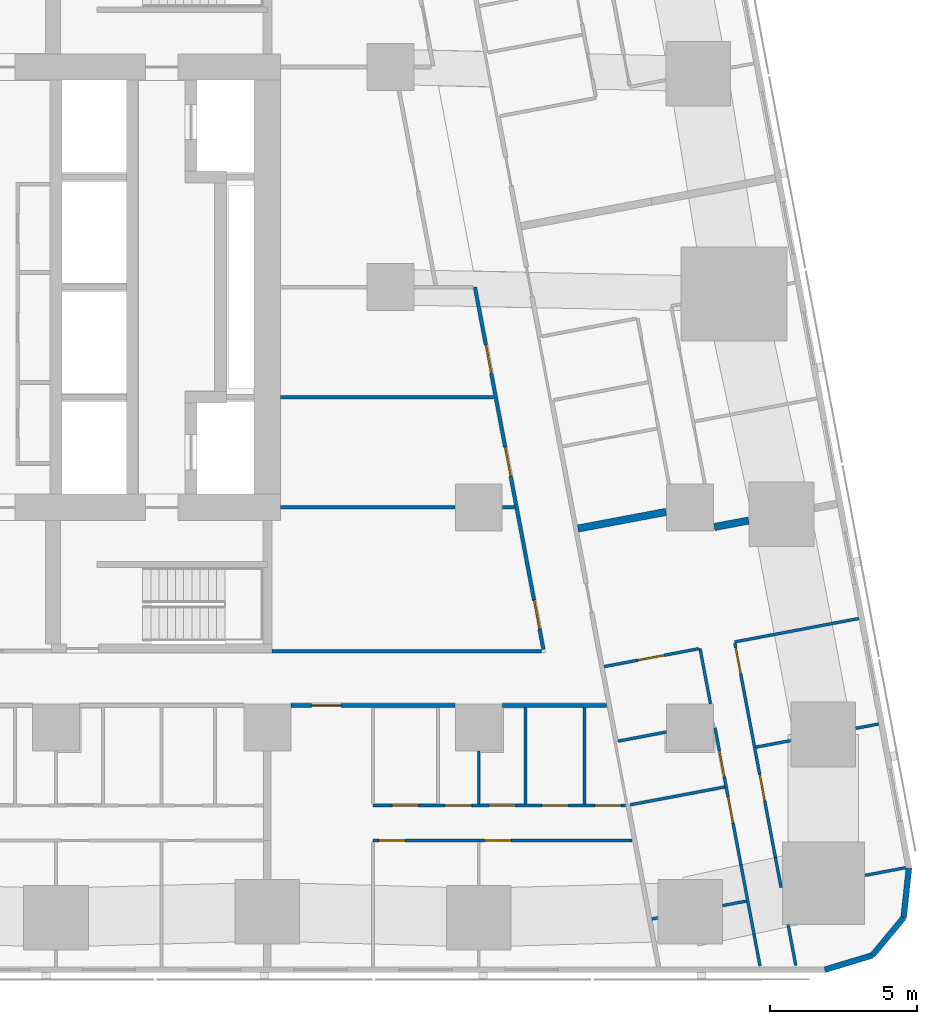
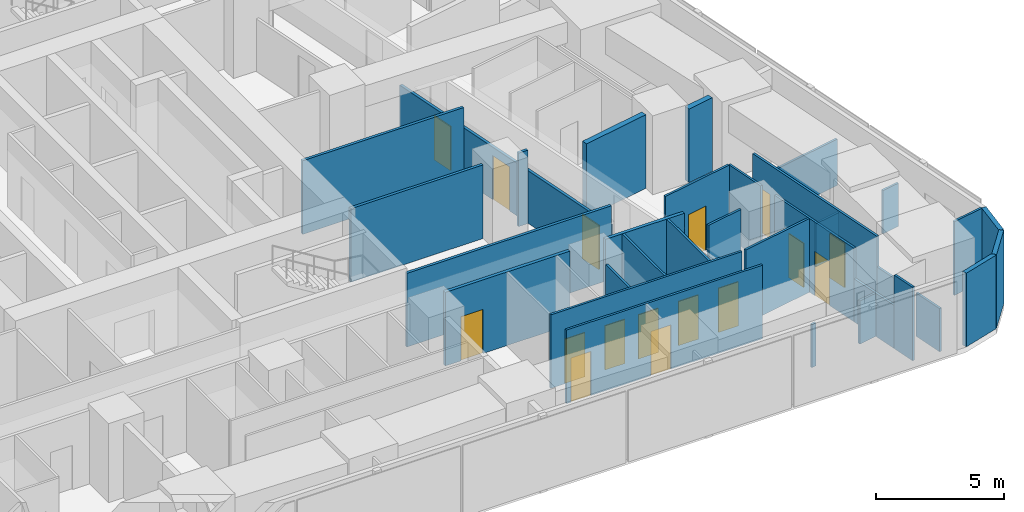
# One storey, part 6 of 15: 33 walls, 16 doors, 16 openings.
"""IFC4 building model written with IfcOpenShell, lengths in metres."""

from ifc_helpers import new_model, si_unit, direction, frame, frame_2d, origin, place, context, subcontext, project, spatial, rectangle, extrude, material, layer, layer_set, type_object, element, fill, save


model = new_model("IFC4")

# Units and contexts
model_context = context("Model", 3, precision=1e-05, world=origin(), true_north=direction((0.0, 1.0)))
body_context = subcontext(model_context, "Body", "Model", "MODEL_VIEW")
ifc_project = project(units=[si_unit("LENGTHUNIT", "METRE"), si_unit("AREAUNIT", "SQUARE_METRE"), si_unit("VOLUMEUNIT", "CUBIC_METRE"), si_unit("PLANEANGLEUNIT", "RADIAN"), si_unit("MASSUNIT", "GRAM", prefix="KILO")], contexts=[model_context])

# Site, building, storey
site_placement = place(None, origin())
site = spatial("IfcSite", under=ifc_project, at=site_placement, CompositionType="ELEMENT")
building_placement = place(site_placement, origin())
building = spatial("IfcBuilding", under=site, at=building_placement, Name="Sheger Commons Tower", CompositionType="ELEMENT")
storey_placement = place(building_placement, frame((0.0, 0.0, 85.39990234375)))
storey = spatial("IfcBuildingStorey", under=building, at=storey_placement, Name="L21", CompositionType="ELEMENT", Elevation=85.39990234375)

# Wall
ifc_material_1 = material(Name="Hollow concrete block masonry, skimmed both sides", Category="masonry")
ifc_layer_1 = layer(ifc_material_1, 0.14990234375)
ifc_layer_set_1 = layer_set([ifc_layer_1], Name="CORRIDOR WALL 150")
wall_type_1 = type_object("IfcWallType", Name="CORRIDOR WALL 150", PredefinedType="SOLIDWALL", material=ifc_layer_set_1)
wall_1_placement = place(storey_placement, frame((40.35595703125, 8.25, 0.0), z_axis=(0.0, 0.0, 1.0), x_axis=(-1.0, 0.0, 0.0)))
element("IfcWall", 1, at=wall_1_placement, inside=storey, type_object=wall_type_1, Name="Corridor wall L21", PredefinedType="SOLIDWALL", context=body_context, shape_type="SweptSolid", body=[
    extrude(rectangle(XDim=3.554931640625, YDim=0.14990234375, at=frame_2d((1.77734375, 0.0))), origin(), (0.0, 0.0, 1.0), 3.5),
])

# Wall, opening, door
wall_2_placement = place(storey_placement, frame((35.198974609375, 8.25, 0.0), z_axis=(0.0, 0.0, 1.0), x_axis=(-1.0, 0.0, 0.0)))
wall_2 = element("IfcWall", 2, at=wall_2_placement, inside=storey, type_object=wall_type_1, Name="Corridor wall L21", PredefinedType="SOLIDWALL", context=body_context, shape_type="SweptSolid", body=[
    extrude(rectangle(XDim=5.597900390625, YDim=0.14990234375, at=frame_2d((2.798828125, 0.0))), origin(), (0.0, 0.0, 1.0), 3.5),
])
opening_1_placement = place(wall_2_placement, frame((3.89892578125, 0.0, 0.0)))
opening_1 = element("IfcOpeningElement", 3, at=opening_1_placement, cuts=wall_2, Name="Opening D1", PredefinedType="OPENING", context=body_context, shape_type="SweptSolid", body=[
    extrude(rectangle(XDim=1.0, YDim=2.10009765625, at=frame_2d((0.5, 1.050048828125))), frame((0.0, 0.0849609375, 0.0), z_axis=(0.0, -1.0, 0.0), x_axis=(1.0, 0.0, 0.0)), (0.0, 0.0, 1.0), 0.169921875),
])
ifc_material_2 = material(Name="Steel door set, fire rated", Category="steel")
door_type_1 = type_object("IfcDoorType", Name="FLAT ENTRANCE DOOR 1000x2100", OperationType="NOTDEFINED", PredefinedType="DOOR", material=ifc_material_2)
door_1_placement = place(opening_1_placement, origin())
door_1 = element("IfcDoor", 4, at=door_1_placement, inside=storey, type_object=door_type_1, Name="Flat entrance door", OperationType="SINGLE_SWING_RIGHT", OverallHeight=2.10009765625, OverallWidth=1.0, PredefinedType="DOOR", context=body_context, shape_type="SweptSolid", body=[
    extrude(rectangle(XDim=1.0, YDim=2.10009765625, at=frame_2d((0.5, 1.050048828125))), frame((0.0, 0.02490234375, 0.0), z_axis=(0.0, -1.0, 0.0), x_axis=(1.0, 0.0, 0.0)), (0.0, 0.0, 1.0), 0.050048828125),
])
fill(opening_1, door_1)

# Walls
ifc_material_3 = material(Name="Dense concrete block masonry, plastered both sides (separating wall between flats)", Category="masonry")
ifc_layer_2 = layer(ifc_material_3, 0.25)
ifc_layer_set_2 = layer_set([ifc_layer_2], Name="DEMISING WALL 250")
wall_type_2 = type_object("IfcWallType", Name="DEMISING WALL 250", PredefinedType="SOLIDWALL", material=ifc_layer_set_2)
wall_3_placement = place(storey_placement, frame((45.18994140625, 14.550048828125, 0.0), z_axis=(0.0, 0.0, 1.0), x_axis=(-0.982666604435, -0.185381618634, 0.0)))
element("IfcWall", 5, at=wall_3_placement, inside=storey, type_object=wall_type_2, Name="Demising wall L21", PredefinedType="SOLIDWALL", context=body_context, shape_type="SweptSolid", body=[
    extrude(rectangle(XDim=1.1865234375, YDim=0.25, at=frame_2d((0.59326171875, 0.0))), origin(), (0.0, 0.0, 1.0), 3.5),
])
wall_4_placement = place(storey_placement, frame((42.3759765625, 14.843994140625, 0.0), z_axis=(0.0, 0.0, 1.0), x_axis=(-0.982636286056, -0.185542257522, 0.0)))
element("IfcWall", 6, at=wall_4_placement, inside=storey, type_object=wall_type_2, Name="Demising wall L21", PredefinedType="SOLIDWALL", context=body_context, shape_type="SweptSolid", body=[
    extrude(rectangle(XDim=3.044921875, YDim=0.25, at=frame_2d((1.5224609375, 0.0))), origin(), (0.0, 0.0, 1.0), 3.5),
])
ifc_material_4 = material(Name="Rendered concrete block masonry, dark grey", Category="masonry")
ifc_layer_3 = layer(ifc_material_4, 0.199951171875)
ifc_layer_set_3 = layer_set([ifc_layer_3], Name="FACADE WALL 200")
wall_type_3 = type_object("IfcWallType", Name="FACADE WALL 200", PredefinedType="SOLIDWALL", material=ifc_layer_set_3)
wall_5_placement = place(storey_placement, frame((47.791015625, -0.75, 0.0), z_axis=(0.0, 0.0, 1.0), x_axis=(0.957455232626, 0.288581838509, 0.0)))
element("IfcWall", 7, at=wall_5_placement, inside=storey, type_object=wall_type_3, Name="Facade wall L21", PredefinedType="SOLIDWALL", context=body_context, shape_type="SweptSolid", body=[
    extrude(rectangle(XDim=1.687744140625, YDim=0.199951171875, at=frame_2d((0.84375, 0.0))), origin(), (0.0, 0.0, 1.0), 3.5),
])
wall_6_placement = place(storey_placement, frame((49.406982421875, -0.262939453125, 0.0), z_axis=(0.0, 0.0, 1.0), x_axis=(0.638042593423, 0.770001070764, 0.0)))
element("IfcWall", 8, at=wall_6_placement, inside=storey, type_object=wall_type_3, Name="Facade wall L21", PredefinedType="SOLIDWALL", context=body_context, shape_type="SweptSolid", body=[
    extrude(rectangle(XDim=1.672607421875, YDim=0.199951171875, at=frame_2d((0.83642578125, 0.0))), origin(), (0.0, 0.0, 1.0), 3.5),
])
wall_7_placement = place(storey_placement, frame((50.47412109375, 1.02490234375, 0.0), z_axis=(0.0, 0.0, 1.0), x_axis=(0.106047815515, 0.994361031429, 0.0)))
element("IfcWall", 9, at=wall_7_placement, inside=storey, type_object=wall_type_3, Name="Facade wall L21", PredefinedType="SOLIDWALL", context=body_context, shape_type="SweptSolid", body=[
    extrude(rectangle(XDim=1.6875, YDim=0.199951171875, at=frame_2d((0.84375, 0.0))), origin(), (0.0, 0.0, 1.0), 3.5),
])

# Wall, openings, doors
ifc_material_5 = material(Name="Gypsum board on steel studs", Category="steel")
ifc_layer_4 = layer(ifc_material_5, 0.10009765625)
ifc_layer_set_4 = layer_set([ifc_layer_4], Name="PARTITION 100")
wall_type_4 = type_object("IfcWallType", Name="PARTITION 100", PredefinedType="PARTITIONING", material=ifc_layer_set_4)
wall_8_placement = place(storey_placement, frame((41.22900390625, 3.64990234375, 0.0), z_axis=(0.0, 0.0, 1.0), x_axis=(-1.0, 0.0, 0.0)))
wall_8 = element("IfcWall", 10, at=wall_8_placement, inside=storey, type_object=wall_type_4, Name="Partition L21", PredefinedType="PARTITIONING", context=body_context, shape_type="SweptSolid", body=[
    extrude(rectangle(XDim=8.8291015625, YDim=0.10009765625, at=frame_2d((4.41455078125, 0.0))), origin(), (0.0, 0.0, 1.0), 3.5),
])
opening_2_placement = place(wall_8_placement, frame((7.72900390625, 0.0, 0.0)))
opening_2 = element("IfcOpeningElement", 11, at=opening_2_placement, cuts=wall_8, Name="Opening D2", PredefinedType="OPENING", context=body_context, shape_type="SweptSolid", body=[
    extrude(rectangle(XDim=0.89990234375, YDim=2.10009765625, at=frame_2d((0.449951171875, 1.050048828125))), frame((0.0, 0.06005859375, 0.0), z_axis=(0.0, -1.0, 0.0), x_axis=(1.0, 0.0, 0.0)), (0.0, 0.0, 1.0), 0.1201171875),
])
opening_3_placement = place(wall_8_placement, frame((4.12890625, 0.0, 0.0)))
opening_3 = element("IfcOpeningElement", 12, at=opening_3_placement, cuts=wall_8, Name="Opening D2", PredefinedType="OPENING", context=body_context, shape_type="SweptSolid", body=[
    extrude(rectangle(XDim=0.89990234375, YDim=2.10009765625, at=frame_2d((0.449951171875, 1.050048828125))), frame((0.0, 0.06005859375, 0.0), z_axis=(0.0, -1.0, 0.0), x_axis=(1.0, 0.0, 0.0)), (0.0, 0.0, 1.0), 0.1201171875),
])
ifc_material_6 = material(Name="Timber door set", Category="wood")
door_type_2 = type_object("IfcDoorType", Name="INTERNAL DOOR 900x2100", OperationType="NOTDEFINED", PredefinedType="DOOR", material=ifc_material_6)
door_2_placement = place(opening_2_placement, origin())
door_2 = element("IfcDoor", 13, at=door_2_placement, inside=storey, type_object=door_type_2, Name="Main bedroom door", OperationType="SINGLE_SWING_RIGHT", OverallHeight=2.10009765625, OverallWidth=0.89990234375, PredefinedType="DOOR", context=body_context, shape_type="SweptSolid", body=[
    extrude(rectangle(XDim=0.89990234375, YDim=2.10009765625, at=frame_2d((0.449951171875, 1.050048828125))), frame((0.0, 0.02490234375, 0.0), z_axis=(0.0, -1.0, 0.0), x_axis=(1.0, 0.0, 0.0)), (0.0, 0.0, 1.0), 0.050048828125),
])
fill(opening_2, door_2)
door_3_placement = place(opening_3_placement, origin())
door_3 = element("IfcDoor", 14, at=door_3_placement, inside=storey, type_object=door_type_2, Name="Bedroom 2 door", OperationType="SINGLE_SWING_RIGHT", OverallHeight=2.10009765625, OverallWidth=0.89990234375, PredefinedType="DOOR", context=body_context, shape_type="SweptSolid", body=[
    extrude(rectangle(XDim=0.89990234375, YDim=2.10009765625, at=frame_2d((0.449951171875, 1.050048828125))), frame((0.0, 0.02490234375, 0.0), z_axis=(0.0, -1.0, 0.0), x_axis=(1.0, 0.0, 0.0)), (0.0, 0.0, 1.0), 0.050048828125),
])
fill(opening_3, door_3)

wall_9_placement = place(storey_placement, frame((41.001953125, 4.85009765625, 0.0), z_axis=(0.0, 0.0, 1.0), x_axis=(-1.0, 0.0, 0.0)))
wall_9 = element("IfcWall", 15, at=wall_9_placement, inside=storey, type_object=wall_type_4, Name="Partition L21", PredefinedType="PARTITIONING", context=body_context, shape_type="SweptSolid", body=[
    extrude(rectangle(XDim=8.60205078125, YDim=0.10009765625, at=frame_2d((4.301025390625, 0.0))), origin(), (0.0, 0.0, 1.0), 3.5),
])
opening_4_placement = place(wall_9_placement, frame((7.047119140625, 0.0, 0.0)))
opening_4 = element("IfcOpeningElement", 16, at=opening_4_placement, cuts=wall_9, Name="Opening D2", PredefinedType="OPENING", context=body_context, shape_type="SweptSolid", body=[
    extrude(rectangle(XDim=0.89990234375, YDim=2.10009765625, at=frame_2d((0.449951171875, 1.050048828125))), frame((0.0, 0.06005859375, 0.0), z_axis=(0.0, -1.0, 0.0), x_axis=(1.0, 0.0, 0.0)), (0.0, 0.0, 1.0), 0.1201171875),
])
opening_5_placement = place(wall_9_placement, frame((3.751953125, 0.0, 0.0)))
opening_5 = element("IfcOpeningElement", 17, at=opening_5_placement, cuts=wall_9, Name="Opening D2", PredefinedType="OPENING", context=body_context, shape_type="SweptSolid", body=[
    extrude(rectangle(XDim=0.89990234375, YDim=2.10009765625, at=frame_2d((0.449951171875, 1.050048828125))), frame((0.0, 0.06005859375, 0.0), z_axis=(0.0, -1.0, 0.0), x_axis=(1.0, 0.0, 0.0)), (0.0, 0.0, 1.0), 0.1201171875),
])
opening_6_placement = place(wall_9_placement, frame((0.14990234375, 0.0, 0.0)))
opening_6 = element("IfcOpeningElement", 18, at=opening_6_placement, cuts=wall_9, Name="Opening D2", PredefinedType="OPENING", context=body_context, shape_type="SweptSolid", body=[
    extrude(rectangle(XDim=0.89990234375, YDim=2.10009765625, at=frame_2d((0.449951171875, 1.050048828125))), frame((0.0, 0.06005859375, 0.0), z_axis=(0.0, -1.0, 0.0), x_axis=(1.0, 0.0, 0.0)), (0.0, 0.0, 1.0), 0.1201171875),
])
opening_7_placement = place(wall_9_placement, frame((5.2470703125, 0.0, 0.0)))
opening_7 = element("IfcOpeningElement", 19, at=opening_7_placement, cuts=wall_9, Name="Opening D2", PredefinedType="OPENING", context=body_context, shape_type="SweptSolid", body=[
    extrude(rectangle(XDim=0.89990234375, YDim=2.10009765625, at=frame_2d((0.449951171875, 1.050048828125))), frame((0.0, 0.06005859375, 0.0), z_axis=(0.0, -1.0, 0.0), x_axis=(1.0, 0.0, 0.0)), (0.0, 0.0, 1.0), 0.1201171875),
])
opening_8_placement = place(wall_9_placement, frame((1.951904296875, 0.0, 0.0)))
opening_8 = element("IfcOpeningElement", 20, at=opening_8_placement, cuts=wall_9, Name="Opening D2", PredefinedType="OPENING", context=body_context, shape_type="SweptSolid", body=[
    extrude(rectangle(XDim=0.89990234375, YDim=2.10009765625, at=frame_2d((0.449951171875, 1.050048828125))), frame((0.0, 0.06005859375, 0.0), z_axis=(0.0, -1.0, 0.0), x_axis=(1.0, 0.0, 0.0)), (0.0, 0.0, 1.0), 0.1201171875),
])
door_4_placement = place(opening_4_placement, origin())
door_4 = element("IfcDoor", 21, at=door_4_placement, inside=storey, type_object=door_type_2, Name="Bathroom door", OperationType="SINGLE_SWING_LEFT", OverallHeight=2.10009765625, OverallWidth=0.89990234375, PredefinedType="DOOR", context=body_context, shape_type="SweptSolid", body=[
    extrude(rectangle(XDim=0.89990234375, YDim=2.10009765625, at=frame_2d((0.449951171875, 1.050048828125))), frame((0.0, 0.02490234375, 0.0), z_axis=(0.0, -1.0, 0.0), x_axis=(1.0, 0.0, 0.0)), (0.0, 0.0, 1.0), 0.050048828125),
])
fill(opening_4, door_4)
door_5_placement = place(opening_5_placement, origin())
door_5 = element("IfcDoor", 22, at=door_5_placement, inside=storey, type_object=door_type_2, Name="Shower room door", OperationType="SINGLE_SWING_LEFT", OverallHeight=2.10009765625, OverallWidth=0.89990234375, PredefinedType="DOOR", context=body_context, shape_type="SweptSolid", body=[
    extrude(rectangle(XDim=0.89990234375, YDim=2.10009765625, at=frame_2d((0.449951171875, 1.050048828125))), frame((0.0, 0.02490234375, 0.0), z_axis=(0.0, -1.0, 0.0), x_axis=(1.0, 0.0, 0.0)), (0.0, 0.0, 1.0), 0.050048828125),
])
fill(opening_5, door_5)
door_6_placement = place(opening_6_placement, origin())
door_6 = element("IfcDoor", 23, at=door_6_placement, inside=storey, type_object=door_type_2, Name="Laundry room door", OperationType="SINGLE_SWING_RIGHT", OverallHeight=2.10009765625, OverallWidth=0.89990234375, PredefinedType="DOOR", context=body_context, shape_type="SweptSolid", body=[
    extrude(rectangle(XDim=0.89990234375, YDim=2.10009765625, at=frame_2d((0.449951171875, 1.050048828125))), frame((0.0, 0.02490234375, 0.0), z_axis=(0.0, -1.0, 0.0), x_axis=(1.0, 0.0, 0.0)), (0.0, 0.0, 1.0), 0.050048828125),
])
fill(opening_6, door_6)
door_7_placement = place(opening_7_placement, origin())
door_7 = element("IfcDoor", 24, at=door_7_placement, inside=storey, type_object=door_type_2, Name="Store door", OperationType="SINGLE_SWING_RIGHT", OverallHeight=2.10009765625, OverallWidth=0.89990234375, PredefinedType="DOOR", context=body_context, shape_type="SweptSolid", body=[
    extrude(rectangle(XDim=0.89990234375, YDim=2.10009765625, at=frame_2d((0.449951171875, 1.050048828125))), frame((0.0, 0.02490234375, 0.0), z_axis=(0.0, -1.0, 0.0), x_axis=(1.0, 0.0, 0.0)), (0.0, 0.0, 1.0), 0.050048828125),
])
fill(opening_7, door_7)
door_8_placement = place(opening_8_placement, origin())
door_8 = element("IfcDoor", 25, at=door_8_placement, inside=storey, type_object=door_type_2, Name="Store door", OperationType="SINGLE_SWING_RIGHT", OverallHeight=2.10009765625, OverallWidth=0.89990234375, PredefinedType="DOOR", context=body_context, shape_type="SweptSolid", body=[
    extrude(rectangle(XDim=0.89990234375, YDim=2.10009765625, at=frame_2d((0.449951171875, 1.050048828125))), frame((0.0, 0.02490234375, 0.0), z_axis=(0.0, -1.0, 0.0), x_axis=(1.0, 0.0, 0.0)), (0.0, 0.0, 1.0), 0.050048828125),
])
fill(opening_8, door_8)

# Walls
wall_10_placement = place(storey_placement, frame((36.0, 4.89990234375, 0.0), z_axis=(0.0, 0.0, 1.0), x_axis=(0.0, 1.0, 0.0)))
element("IfcWall", 26, at=wall_10_placement, inside=storey, type_object=wall_type_4, Name="Partition L21", PredefinedType="PARTITIONING", context=body_context, shape_type="SweptSolid", body=[
    extrude(rectangle(XDim=1.799072265625, YDim=0.10009765625, at=frame_2d((0.8994140625, 0.0))), origin(), (0.0, 0.0, 1.0), 3.5),
])
for number, where, z_axis, x_axis, name in (
    (27, (39.60009765625, 4.89990234375, 0.0), (0.0, 0.0, 1.0), (0.0, 1.0, 0.0), "Partition L21"),
    (28, (37.60009765625, 4.89990234375, 0.0), (0.0, 0.0, 1.0), (0.0, 1.0, 0.0), "Partition L21"),
):
    element("IfcWall", number, at=place(storey_placement, frame(where, z_axis=z_axis, x_axis=x_axis)), inside=storey, type_object=wall_type_4, Name=name, PredefinedType="PARTITIONING", context=body_context, shape_type="SweptSolid", body=[
        extrude(rectangle(XDim=3.275146484375, YDim=0.10009765625, at=frame_2d((1.6376953125, 0.0))), origin(), (0.0, 0.0, 1.0), 3.5),
    ])

# Wall, openings, doors
wall_11_placement = place(storey_placement, frame((44.72705078125, 10.365966796875, 0.0), z_axis=(0.0, 0.0, 1.0), x_axis=(0.185678775129, -0.982610498858, 0.0)))
wall_11 = element("IfcWall", 29, at=wall_11_placement, inside=storey, type_object=wall_type_4, Name="Partition L21", PredefinedType="PARTITIONING", context=body_context, shape_type="SweptSolid", body=[
    extrude(rectangle(XDim=7.421142578125, YDim=0.10009765625, at=frame_2d((3.71044921875, 0.0))), origin(), (0.0, 0.0, 1.0), 3.5),
])
opening_9_placement = place(wall_11_placement, frame((0.15087890625, 0.0, 0.0)))
opening_9 = element("IfcOpeningElement", 30, at=opening_9_placement, cuts=wall_11, Name="Opening D2", PredefinedType="OPENING", context=body_context, shape_type="SweptSolid", body=[
    extrude(rectangle(XDim=0.89990234375, YDim=2.10009765625, at=frame_2d((0.449951171875, 1.050048828125))), frame((0.0, 0.06005859375, 0.0), z_axis=(0.0, -1.0, 0.0), x_axis=(1.0, 0.0, 0.0)), (0.0, 0.0, 1.0), 0.1201171875),
])
opening_10_placement = place(wall_11_placement, frame((4.550048828125, 0.0, 0.0)))
opening_10 = element("IfcOpeningElement", 31, at=opening_10_placement, cuts=wall_11, Name="Opening D2", PredefinedType="OPENING", context=body_context, shape_type="SweptSolid", body=[
    extrude(rectangle(XDim=0.89990234375, YDim=2.10009765625, at=frame_2d((0.449951171875, 1.050048828125))), frame((0.0, 0.06005859375, 0.0), z_axis=(0.0, -1.0, 0.0), x_axis=(1.0, 0.0, 0.0)), (0.0, 0.0, 1.0), 0.1201171875),
])
door_9_placement = place(opening_9_placement, origin())
door_9 = element("IfcDoor", 32, at=door_9_placement, inside=storey, type_object=door_type_2, Name="Main bedroom door", OperationType="SINGLE_SWING_LEFT", OverallHeight=2.10009765625, OverallWidth=0.89990234375, PredefinedType="DOOR", context=body_context, shape_type="SweptSolid", body=[
    extrude(rectangle(XDim=0.89990234375, YDim=2.10009765625, at=frame_2d((0.449951171875, 1.050048828125))), frame((0.0, 0.02490234375, 0.0), z_axis=(0.0, -1.0, 0.0), x_axis=(1.0, 0.0, 0.0)), (0.0, 0.0, 1.0), 0.050048828125),
])
fill(opening_9, door_9)
door_10_placement = place(opening_10_placement, origin())
door_10 = element("IfcDoor", 33, at=door_10_placement, inside=storey, type_object=door_type_2, Name="Bedroom 2 door", OperationType="SINGLE_SWING_LEFT", OverallHeight=2.10009765625, OverallWidth=0.89990234375, PredefinedType="DOOR", context=body_context, shape_type="SweptSolid", body=[
    extrude(rectangle(XDim=0.89990234375, YDim=2.10009765625, at=frame_2d((0.449951171875, 1.050048828125))), frame((0.0, 0.02490234375, 0.0), z_axis=(0.0, -1.0, 0.0), x_axis=(1.0, 0.0, 0.0)), (0.0, 0.0, 1.0), 0.050048828125),
])
fill(opening_10, door_10)

# Walls
wall_12_placement = place(storey_placement, frame((46.10498046875, 3.073974609375, 0.0), z_axis=(0.0, 0.0, 1.0), x_axis=(0.185897769544, -0.982569091351, 0.0)))
element("IfcWall", 34, at=wall_12_placement, inside=storey, type_object=wall_type_4, Name="Partition L21", PredefinedType="PARTITIONING", context=body_context, shape_type="SweptSolid", body=[
    extrude(rectangle(XDim=1.044189453125, YDim=0.10009765625, at=frame_2d((0.52197265625, 0.0))), origin(), (0.0, 0.0, 1.0), 2.050048828125),
])
wall_13_placement = place(storey_placement, frame((46.537109375, 0.787109375, 0.0), z_axis=(0.0, 0.0, 1.0), x_axis=(0.185348284603, -0.982672892368, 0.0)))
element("IfcWall", 35, at=wall_13_placement, inside=storey, type_object=wall_type_4, Name="Partition L21", PredefinedType="PARTITIONING", context=body_context, shape_type="SweptSolid", body=[
    extrude(rectangle(XDim=1.418701171875, YDim=0.10009765625, at=frame_2d((0.70947265625, 0.0))), origin(), (0.0, 0.0, 1.0), 2.050048828125),
])
wall_14_placement = place(storey_placement, frame((43.5390625, 10.19189453125, 0.0), z_axis=(0.0, 0.0, 1.0), x_axis=(0.185366049966, -0.982669541362, 0.0)))
element("IfcWall", 36, at=wall_14_placement, inside=storey, type_object=wall_type_4, Name="Partition L21", PredefinedType="PARTITIONING", context=body_context, shape_type="SweptSolid", body=[
    extrude(rectangle(XDim=1.9150390625, YDim=0.10009765625, at=frame_2d((0.95751953125, 0.0))), origin(), (0.0, 0.0, 1.0), 3.5),
])

# Wall, openings, doors
wall_15_placement = place(storey_placement, frame((44.049072265625, 7.489990234375, 0.0), z_axis=(0.0, 0.0, 1.0), x_axis=(0.185666332607, -0.982612849975, 0.0)))
wall_15 = element("IfcWall", 37, at=wall_15_placement, inside=storey, type_object=wall_type_4, Name="Partition L21", PredefinedType="PARTITIONING", context=body_context, shape_type="SweptSolid", body=[
    extrude(rectangle(XDim=4.74951171875, YDim=0.10009765625, at=frame_2d((2.374755859375, 0.0))), origin(), (0.0, 0.0, 1.0), 3.5),
])
opening_11_placement = place(wall_15_placement, frame((0.800048828125, 0.0, 0.0)))
opening_11 = element("IfcOpeningElement", 38, at=opening_11_placement, cuts=wall_15, Name="Opening D2", PredefinedType="OPENING", context=body_context, shape_type="SweptSolid", body=[
    extrude(rectangle(XDim=0.89990234375, YDim=2.10009765625, at=frame_2d((0.449951171875, 1.050048828125))), frame((0.0, 0.06005859375, 0.0), z_axis=(0.0, -1.0, 0.0), x_axis=(1.0, 0.0, 0.0)), (0.0, 0.0, 1.0), 0.1201171875),
])
opening_12_placement = place(wall_15_placement, frame((2.39599609375, 0.0, 0.0)))
opening_12 = element("IfcOpeningElement", 39, at=opening_12_placement, cuts=wall_15, Name="Opening D2", PredefinedType="OPENING", context=body_context, shape_type="SweptSolid", body=[
    extrude(rectangle(XDim=0.89990234375, YDim=2.10009765625, at=frame_2d((0.449951171875, 1.050048828125))), frame((0.0, 0.06005859375, 0.0), z_axis=(0.0, -1.0, 0.0), x_axis=(1.0, 0.0, 0.0)), (0.0, 0.0, 1.0), 0.1201171875),
])
door_11_placement = place(opening_11_placement, origin())
door_11 = element("IfcDoor", 40, at=door_11_placement, inside=storey, type_object=door_type_2, Name="Bathroom door", OperationType="SINGLE_SWING_LEFT", OverallHeight=2.10009765625, OverallWidth=0.89990234375, PredefinedType="DOOR", context=body_context, shape_type="SweptSolid", body=[
    extrude(rectangle(XDim=0.89990234375, YDim=2.10009765625, at=frame_2d((0.449951171875, 1.050048828125))), frame((0.0, 0.02490234375, 0.0), z_axis=(0.0, -1.0, 0.0), x_axis=(1.0, 0.0, 0.0)), (0.0, 0.0, 1.0), 0.050048828125),
])
fill(opening_11, door_11)
door_12_placement = place(opening_12_placement, origin())
door_12 = element("IfcDoor", 41, at=door_12_placement, inside=storey, type_object=door_type_2, Name="Store door", OperationType="SINGLE_SWING_RIGHT", OverallHeight=2.10009765625, OverallWidth=0.89990234375, PredefinedType="DOOR", context=body_context, shape_type="SweptSolid", body=[
    extrude(rectangle(XDim=0.89990234375, YDim=2.10009765625, at=frame_2d((0.449951171875, 1.050048828125))), frame((0.0, 0.02490234375, 0.0), z_axis=(0.0, -1.0, 0.0), x_axis=(1.0, 0.0, 0.0)), (0.0, 0.0, 1.0), 0.050048828125),
])
fill(opening_12, door_12)

# Walls
wall_16_placement = place(storey_placement, frame((44.930908203125, 2.822998046875, 0.0), z_axis=(0.0, 0.0, 1.0), x_axis=(0.185631845838, -0.982619365681, 0.0)))
element("IfcWall", 42, at=wall_16_placement, inside=storey, type_object=wall_type_4, Name="Partition L21", PredefinedType="PARTITIONING", context=body_context, shape_type="SweptSolid", body=[
    extrude(rectangle(XDim=2.40283203125, YDim=0.10009765625, at=frame_2d((1.201416015625, 0.0))), origin(), (0.0, 0.0, 1.0), 2.050048828125),
])
wall_17_placement = place(storey_placement, frame((45.376953125, 0.4619140625, 0.0), z_axis=(0.0, 0.0, 1.0), x_axis=(0.185513480919, -0.982641719243, 0.0)))
element("IfcWall", 43, at=wall_17_placement, inside=storey, type_object=wall_type_4, Name="Partition L21", PredefinedType="PARTITIONING", context=body_context, shape_type="SweptSolid", body=[
    extrude(rectangle(XDim=1.094970703125, YDim=0.10009765625, at=frame_2d((0.54736328125, 0.0))), origin(), (0.0, 0.0, 1.0), 3.5),
])
wall_18_placement = place(storey_placement, frame((48.943115234375, 11.212890625, 0.0), z_axis=(0.0, 0.0, 1.0), x_axis=(-0.982633535512, -0.185556823879, 0.0)))
element("IfcWall", 44, at=wall_18_placement, inside=storey, type_object=wall_type_4, Name="Partition L21", PredefinedType="PARTITIONING", context=body_context, shape_type="SweptSolid", body=[
    extrude(rectangle(XDim=4.2998046875, YDim=0.10009765625, at=frame_2d((2.14990234375, 0.0))), origin(), (0.0, 0.0, 1.0), 2.2001953125),
])
wall_19_placement = place(storey_placement, frame((49.6220703125, 7.6201171875, 0.0), z_axis=(0.0, 0.0, 1.0), x_axis=(-0.982512656401, -0.186195810938, 0.0)))
element("IfcWall", 45, at=wall_19_placement, inside=storey, type_object=wall_type_4, Name="Partition L21", PredefinedType="PARTITIONING", context=body_context, shape_type="SweptSolid", body=[
    extrude(rectangle(XDim=0.7958984375, YDim=0.10009765625, at=frame_2d((0.39794921875, 0.0))), origin(), (0.0, 0.0, 1.0), 2.050048828125),
])
wall_20_placement = place(storey_placement, frame((46.6201171875, 7.052978515625, 0.0), z_axis=(0.0, 0.0, 1.0), x_axis=(-0.982749355621, -0.18494243436, 0.0)))
element("IfcWall", 46, at=wall_20_placement, inside=storey, type_object=wall_type_4, Name="Partition L21", PredefinedType="PARTITIONING", context=body_context, shape_type="SweptSolid", body=[
    extrude(rectangle(XDim=1.194580078125, YDim=0.10009765625, at=frame_2d((0.59716796875, 0.0))), origin(), (0.0, 0.0, 1.0), 2.050048828125),
])
wall_21_placement = place(storey_placement, frame((50.547119140625, 2.72607421875, 0.0), z_axis=(0.0, 0.0, 1.0), x_axis=(-0.982680053146, -0.185310315822, 0.0)))
element("IfcWall", 47, at=wall_21_placement, inside=storey, type_object=wall_type_4, Name="Partition L21", PredefinedType="PARTITIONING", context=body_context, shape_type="SweptSolid", body=[
    extrude(rectangle(XDim=1.41357421875, YDim=0.10009765625, at=frame_2d((0.706787109375, 0.0))), origin(), (0.0, 0.0, 1.0), 3.5),
])

# Wall, opening, door
wall_22_placement = place(storey_placement, frame((43.489990234375, 10.18310546875, 0.0), z_axis=(0.0, 0.0, 1.0), x_axis=(-0.982607026909, -0.185697147715, 0.0)))
wall_22 = element("IfcWall", 48, at=wall_22_placement, inside=storey, type_object=wall_type_4, Name="Partition L21", PredefinedType="PARTITIONING", context=body_context, shape_type="SweptSolid", body=[
    extrude(rectangle(XDim=3.27490234375, YDim=0.10009765625, at=frame_2d((1.637451171875, 0.0))), origin(), (0.0, 0.0, 1.0), 3.5),
])
opening_13_placement = place(wall_22_placement, frame((1.199951171875, 0.0, 0.0)))
opening_13 = element("IfcOpeningElement", 49, at=opening_13_placement, cuts=wall_22, Name="Opening D2", PredefinedType="OPENING", context=body_context, shape_type="SweptSolid", body=[
    extrude(rectangle(XDim=0.89990234375, YDim=2.10009765625, at=frame_2d((0.449951171875, 1.050048828125))), frame((0.0, 0.06005859375, 0.0), z_axis=(0.0, -1.0, 0.0), x_axis=(1.0, 0.0, 0.0)), (0.0, 0.0, 1.0), 0.1201171875),
])
door_13_placement = place(opening_13_placement, origin())
door_13 = element("IfcDoor", 50, at=door_13_placement, inside=storey, type_object=door_type_2, Name="Store door", OperationType="SINGLE_SWING_RIGHT", OverallHeight=2.10009765625, OverallWidth=0.89990234375, PredefinedType="DOOR", context=body_context, shape_type="SweptSolid", body=[
    extrude(rectangle(XDim=0.89990234375, YDim=2.10009765625, at=frame_2d((0.449951171875, 1.050048828125))), frame((0.0, 0.02490234375, 0.0), z_axis=(0.0, -1.0, 0.0), x_axis=(1.0, 0.0, 0.0)), (0.0, 0.0, 1.0), 0.050048828125),
])
fill(opening_13, door_13)

# Walls
wall_23_placement = place(storey_placement, frame((42.389892578125, 7.347900390625, 0.0), z_axis=(0.0, 0.0, 1.0), x_axis=(-0.9825976927, -0.185746532405, 0.0)))
element("IfcWall", 51, at=wall_23_placement, inside=storey, type_object=wall_type_4, Name="Partition L21", PredefinedType="PARTITIONING", context=body_context, shape_type="SweptSolid", body=[
    extrude(rectangle(XDim=1.66796875, YDim=0.10009765625, at=frame_2d((0.833984375, 0.0))), origin(), (0.0, 0.0, 1.0), 3.5),
])
wall_24_placement = place(storey_placement, frame((45.114013671875, 1.5869140625, 0.0), z_axis=(0.0, 0.0, 1.0), x_axis=(-0.982624706348, -0.185603573443, 0.0)))
element("IfcWall", 52, at=wall_24_placement, inside=storey, type_object=wall_type_4, Name="Partition L21", PredefinedType="PARTITIONING", context=body_context, shape_type="SweptSolid", body=[
    extrude(rectangle(XDim=0.818115234375, YDim=0.10009765625, at=frame_2d((0.4091796875, 0.0))), origin(), (0.0, 0.0, 1.0), 2.050048828125),
])
wall_25_placement = place(storey_placement, frame((42.090087890625, 1.01611328125, 0.0), z_axis=(0.0, 0.0, 1.0), x_axis=(-0.982208563973, -0.187793335502, 0.0)))
element("IfcWall", 53, at=wall_25_placement, inside=storey, type_object=wall_type_4, Name="Partition L21", PredefinedType="PARTITIONING", context=body_context, shape_type="SweptSolid", body=[
    extrude(rectangle(XDim=0.197509765625, YDim=0.10009765625, at=frame_2d((0.0986328125, 0.0))), origin(), (0.0, 0.0, 1.0), 2.050048828125),
])
wall_26_placement = place(storey_placement, frame((44.37890625, 5.47412109375, 0.0), z_axis=(0.0, 0.0, 1.0), x_axis=(-0.982607026909, -0.185697147715, 0.0)))
element("IfcWall", 54, at=wall_26_placement, inside=storey, type_object=wall_type_4, Name="Partition L21", PredefinedType="PARTITIONING", context=body_context, shape_type="SweptSolid", body=[
    extrude(rectangle(XDim=3.27490234375, YDim=0.10009765625, at=frame_2d((1.637451171875, 0.0))), origin(), (0.0, 0.0, 1.0), 3.5),
])
ifc_material_7 = material(Name="Gypsum board on steel studs, two layers each side, fire rated", Category="steel")
ifc_layer_5 = layer(ifc_material_7, 0.125)
ifc_layer_set_5 = layer_set([ifc_layer_5], Name="SERVICE WALL 125")
wall_type_5 = type_object("IfcWallType", Name="SERVICE WALL 125", PredefinedType="PARTITIONING", material=ifc_layer_set_5)
wall_27_placement = place(storey_placement, frame((28.949951171875, 10.10009765625, 0.0), z_axis=(0.0, 0.0, 1.0), x_axis=(1.0, 0.0, 0.0)))
element("IfcWall", 55, at=wall_27_placement, inside=storey, type_object=wall_type_5, Name="Service room wall L21", PredefinedType="PARTITIONING", context=body_context, shape_type="SweptSolid", body=[
    extrude(rectangle(XDim=9.18798828125, YDim=0.125, at=frame_2d((4.593994140625, 0.0))), origin(), (0.0, 0.0, 1.0), 3.5),
])

# Wall, openings, doors
wall_28_placement = place(storey_placement, frame((38.201904296875, 10.1630859375, 0.0), z_axis=(0.0, 0.0, 1.0), x_axis=(-0.185645577403, 0.982616771479, 0.0)))
wall_28 = element("IfcWall", 56, at=wall_28_placement, inside=storey, type_object=wall_type_5, Name="Service room wall L21", PredefinedType="PARTITIONING", context=body_context, shape_type="SweptSolid", body=[
    extrude(rectangle(XDim=12.55517578125, YDim=0.125, at=frame_2d((6.277587890625, 0.0))), origin(), (0.0, 0.0, 1.0), 2.5),
])
opening_14_placement = place(wall_28_placement, frame((0.7080078125, 0.0, 0.0)))
opening_14 = element("IfcOpeningElement", 57, at=opening_14_placement, cuts=wall_28, Name="Opening D4", PredefinedType="OPENING", context=body_context, shape_type="SweptSolid", body=[
    extrude(rectangle(XDim=1.0, YDim=2.10009765625, at=frame_2d((0.5, 1.050048828125))), frame((0.0, 0.072509765625, 0.0), z_axis=(0.0, -1.0, 0.0), x_axis=(1.0, 0.0, 0.0)), (0.0, 0.0, 1.0), 0.14501953125),
])
opening_15_placement = place(wall_28_placement, frame((6.0, 0.0, 0.0)))
opening_15 = element("IfcOpeningElement", 58, at=opening_15_placement, cuts=wall_28, Name="Opening D4", PredefinedType="OPENING", context=body_context, shape_type="SweptSolid", body=[
    extrude(rectangle(XDim=1.0, YDim=2.10009765625, at=frame_2d((0.5, 1.050048828125))), frame((0.0, 0.072509765625, 0.0), z_axis=(0.0, -1.0, 0.0), x_axis=(1.0, 0.0, 0.0)), (0.0, 0.0, 1.0), 0.14501953125),
])
opening_16_placement = place(wall_28_placement, frame((9.56201171875, 0.0, 0.0)))
opening_16 = element("IfcOpeningElement", 59, at=opening_16_placement, cuts=wall_28, Name="Opening D4", PredefinedType="OPENING", context=body_context, shape_type="SweptSolid", body=[
    extrude(rectangle(XDim=1.0, YDim=2.10009765625, at=frame_2d((0.5, 1.050048828125))), frame((0.0, 0.072509765625, 0.0), z_axis=(0.0, -1.0, 0.0), x_axis=(1.0, 0.0, 0.0)), (0.0, 0.0, 1.0), 0.14501953125),
])
ifc_material_8 = material(Name="Steel door set, fire rated", Category="steel")
door_type_3 = type_object("IfcDoorType", Name="SERVICE DOOR 1000x2100", OperationType="NOTDEFINED", PredefinedType="DOOR", material=ifc_material_8)
door_14_placement = place(opening_14_placement, origin())
door_14 = element("IfcDoor", 60, at=door_14_placement, inside=storey, type_object=door_type_3, Name="Residents' study room door", OperationType="SINGLE_SWING_LEFT", OverallHeight=2.10009765625, OverallWidth=1.0, PredefinedType="DOOR", context=body_context, shape_type="SweptSolid", body=[
    extrude(rectangle(XDim=1.0, YDim=2.10009765625, at=frame_2d((0.5, 1.050048828125))), frame((0.0, 0.02490234375, 0.0), z_axis=(0.0, -1.0, 0.0), x_axis=(1.0, 0.0, 0.0)), (0.0, 0.0, 1.0), 0.050048828125),
])
fill(opening_14, door_14)
door_15_placement = place(opening_15_placement, origin())
door_15 = element("IfcDoor", 61, at=door_15_placement, inside=storey, type_object=door_type_3, Name="Residents' hobby room door", OperationType="SINGLE_SWING_LEFT", OverallHeight=2.10009765625, OverallWidth=1.0, PredefinedType="DOOR", context=body_context, shape_type="SweptSolid", body=[
    extrude(rectangle(XDim=1.0, YDim=2.10009765625, at=frame_2d((0.5, 1.050048828125))), frame((0.0, 0.02490234375, 0.0), z_axis=(0.0, -1.0, 0.0), x_axis=(1.0, 0.0, 0.0)), (0.0, 0.0, 1.0), 0.050048828125),
])
fill(opening_15, door_15)
door_16_placement = place(opening_16_placement, origin())
door_16 = element("IfcDoor", 62, at=door_16_placement, inside=storey, type_object=door_type_3, Name="Bicycle and pram store door", OperationType="SINGLE_SWING_LEFT", OverallHeight=2.10009765625, OverallWidth=1.0, PredefinedType="DOOR", context=body_context, shape_type="SweptSolid", body=[
    extrude(rectangle(XDim=1.0, YDim=2.10009765625, at=frame_2d((0.5, 1.050048828125))), frame((0.0, 0.02490234375, 0.0), z_axis=(0.0, -1.0, 0.0), x_axis=(1.0, 0.0, 0.0)), (0.0, 0.0, 1.0), 0.050048828125),
])
fill(opening_16, door_16)

# Walls
wall_29_placement = place(storey_placement, frame((29.25, 15.0, 0.0), z_axis=(0.0, 0.0, 1.0), x_axis=(1.0, 0.0, 0.0)))
element("IfcWall", 63, at=wall_29_placement, inside=storey, type_object=wall_type_5, Name="Service room wall L21", PredefinedType="PARTITIONING", context=body_context, shape_type="SweptSolid", body=[
    extrude(rectangle(XDim=5.948974609375, YDim=0.125, at=frame_2d((2.974609375, 0.0))), origin(), (0.0, 0.0, 1.0), 3.5),
])
wall_30_placement = place(storey_placement, frame((36.801025390625, 15.0, 0.0), z_axis=(0.0, 0.0, 1.0), x_axis=(1.0, 0.0, 0.0)))
element("IfcWall", 64, at=wall_30_placement, inside=storey, type_object=wall_type_5, Name="Service room wall L21", PredefinedType="PARTITIONING", context=body_context, shape_type="SweptSolid", body=[
    extrude(rectangle(XDim=0.411865234375, YDim=0.125, at=frame_2d((0.2060546875, 0.0))), origin(), (0.0, 0.0, 1.0), 3.5),
])
wall_31_placement = place(storey_placement, frame((29.25, 18.75, 0.0), z_axis=(0.0, 0.0, 1.0), x_axis=(1.0, 0.0, 0.0)))
element("IfcWall", 65, at=wall_31_placement, inside=storey, type_object=wall_type_5, Name="Service room wall L21", PredefinedType="PARTITIONING", context=body_context, shape_type="SweptSolid", body=[
    extrude(rectangle(XDim=7.25390625, YDim=0.125, at=frame_2d((3.626953125, 0.0))), origin(), (0.0, 0.0, 1.0), 3.5),
])

save(model, "model.ifc")
